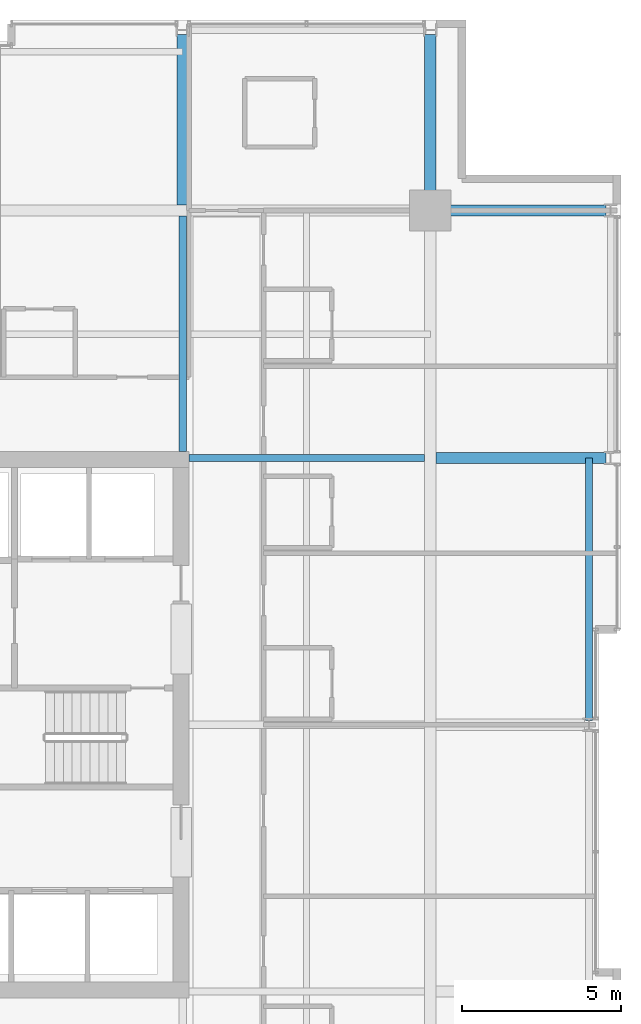
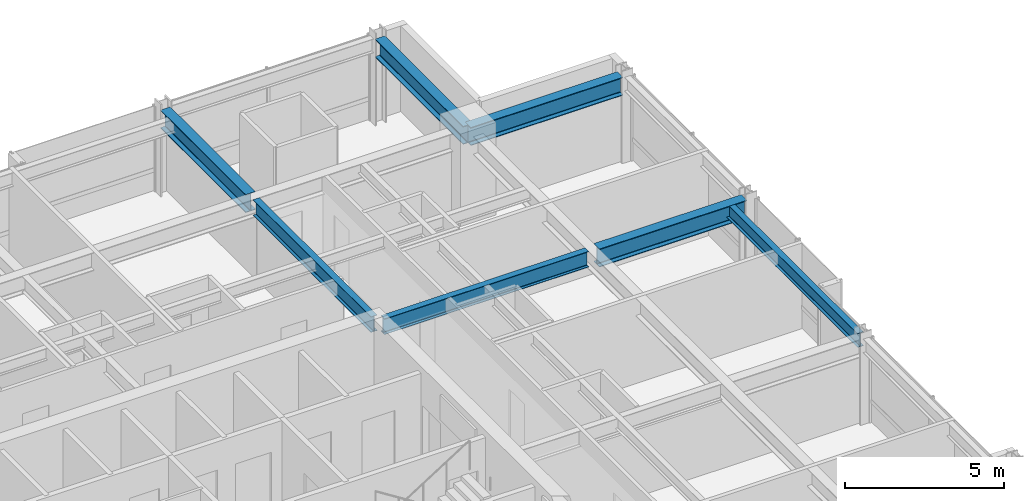
# One storey, part 22 of 32: 7 beams.
"""IFC4 building model written with IfcOpenShell, lengths in metres."""

from ifc_helpers import new_model, si_unit, direction, frame, origin, origin_2d, place, context, subcontext, project, spatial, i_section, extrude, material, material_profile, profile_set, type_object, element, save


model = new_model("IFC4")

# Units and contexts
model_context = context("Model", 3, precision=1e-05, world=origin(), true_north=direction((0.0, 1.0)))
body_context = subcontext(model_context, "Body", "Model", "MODEL_VIEW")
ifc_project = project(units=[si_unit("LENGTHUNIT", "METRE"), si_unit("AREAUNIT", "SQUARE_METRE"), si_unit("VOLUMEUNIT", "CUBIC_METRE"), si_unit("PLANEANGLEUNIT", "RADIAN"), si_unit("MASSUNIT", "GRAM", prefix="KILO")], contexts=[model_context])

# Site, building, storey
site_placement = place(None, origin())
site = spatial("IfcSite", under=ifc_project, at=site_placement, CompositionType="ELEMENT")
building_placement = place(site_placement, origin())
building = spatial("IfcBuilding", under=site, at=building_placement, Name="Drelvath Grand Hotel", CompositionType="ELEMENT")
storey_placement = place(building_placement, frame((0.0, 0.0, 157.5)))
storey = spatial("IfcBuildingStorey", under=building, at=storey_placement, Name="L40", CompositionType="ELEMENT", Elevation=157.5)

# Beams
ifc_material = material(Name="Steel ASTM A992 Gr 50", Category="steel")
ifc_material_profile_1 = material_profile(ifc_material, i_section(OverallWidth=0.210205078125, OverallDepth=0.53662109375, WebThickness=0.010986328125, FlangeThickness=0.017333984375, FilletRadius=0.01806640625, at=origin_2d()), Name="W21X68")
ifc_profile_set_1 = profile_set([ifc_material_profile_1], Name="Steel ASTM A992 Gr 50")
beam_type_1 = type_object("IfcBeamType", Name="Perimeter Spandrel Beam W21X68", PredefinedType="SPANDREL", material=ifc_profile_set_1)
beam_1_placement = place(storey_placement, frame((21.199951171875, 27.139892578125, 3.021484375), z_axis=(0.0, 1.0, 0.0), x_axis=(-1.0, 0.0, 0.0)))
element("IfcBeam", 1, at=beam_1_placement, inside=storey, type_object=beam_type_1, Name="L40 Spandrel East Mid N", PredefinedType="SPANDREL", context=body_context, shape_type="SweptSolid", body=[
    extrude(i_section(OverallWidth=0.210205078125, OverallDepth=0.53662109375, WebThickness=0.010986328125, FlangeThickness=0.017333984375, FilletRadius=0.01806640625, at=origin_2d()), origin(), (0.0, 0.0, 1.0), 8.260009765625),
])
ifc_material_profile_2 = material_profile(ifc_material, i_section(OverallWidth=0.228271484375, OverallDepth=0.607666015625, WebThickness=0.01123046875, FlangeThickness=0.017333984375, FilletRadius=0.02001953125, at=origin_2d()), Name="W24X76")
ifc_profile_set_2 = profile_set([ifc_material_profile_2], Name="Steel ASTM A992 Gr 50")
beam_type_2 = type_object("IfcBeamType", Name="Primary Floor Girder W24X76", PredefinedType="BEAM", material=ifc_profile_set_2)
for number, where, z_axis, x_axis, name in (
    (2, (8.60009765625, 35.39990234375, 2.986083984375), (1.0, 0.0, 0.0), (0.0, 1.0, 0.0), "L40 East Core Tie F"),
    (3, (8.39990234375, 35.60009765625, 2.986083984375), (0.0, 1.0, 0.0), (-1.0, 0.0, 0.0), "L40 North Core Tie 6"),
):
    element("IfcBeam", number, at=place(storey_placement, frame(where, z_axis=z_axis, x_axis=x_axis)), inside=storey, type_object=beam_type_2, Name=name, PredefinedType="BEAM", context=body_context, shape_type="SweptSolid", body=[
        extrude(i_section(OverallWidth=0.228271484375, OverallDepth=0.607666015625, WebThickness=0.01123046875, FlangeThickness=0.017333984375, FilletRadius=0.02001953125, at=origin_2d()), origin(), (0.0, 0.0, 1.0), 7.422607421875),
    ])
ifc_material_profile_3 = material_profile(ifc_material, i_section(OverallWidth=0.354736328125, OverallDepth=0.695556640625, WebThickness=0.015380859375, FlangeThickness=0.025146484375, FilletRadius=0.02392578125, at=origin_2d()), Name="W27X146")
ifc_profile_set_3 = profile_set([ifc_material_profile_3], Name="Steel ASTM A992 Gr 50")
beam_type_3 = type_object("IfcBeamType", Name="Primary Floor Girder W27X146", PredefinedType="BEAM", material=ifc_profile_set_3)
beam_2_placement = place(storey_placement, frame((16.199951171875, 43.199951171875, 2.9423828125), z_axis=(1.0, 0.0, 0.0), x_axis=(0.0, 1.0, 0.0)))
element("IfcBeam", 4, at=beam_2_placement, inside=storey, type_object=beam_type_3, Name="L40 East Grid Girder G", PredefinedType="BEAM", context=body_context, shape_type="SweptSolid", body=[
    extrude(i_section(OverallWidth=0.354736328125, OverallDepth=0.695556640625, WebThickness=0.015380859375, FlangeThickness=0.025146484375, FilletRadius=0.02392578125, at=origin_2d()), origin(), (0.0, 0.0, 1.0), 5.5400390625),
])
beam_3_placement = place(storey_placement, frame((16.37744140625, 35.39990234375, 2.9423828125), z_axis=(1.0, 0.0, 0.0), x_axis=(0.0, 1.0, 0.0)))
element("IfcBeam", 5, at=beam_3_placement, inside=storey, type_object=beam_type_3, Name="L40 East Wing Girder F", PredefinedType="BEAM", context=body_context, shape_type="SweptSolid", body=[
    extrude(i_section(OverallWidth=0.354736328125, OverallDepth=0.695556640625, WebThickness=0.015380859375, FlangeThickness=0.025146484375, FilletRadius=0.02392578125, at=origin_2d()), origin(), (0.0, 0.0, 1.0), 5.362548828125),
])
beam_4_placement = place(storey_placement, frame((16.199951171875, 43.199951171875, 2.9423828125), z_axis=(0.0, 1.0, 0.0), x_axis=(-1.0, 0.0, 0.0)))
element("IfcBeam", 6, at=beam_4_placement, inside=storey, type_object=beam_type_3, Name="L40 North Grid Girder 7", PredefinedType="BEAM", context=body_context, shape_type="SweptSolid", body=[
    extrude(i_section(OverallWidth=0.354736328125, OverallDepth=0.695556640625, WebThickness=0.015380859375, FlangeThickness=0.025146484375, FilletRadius=0.02392578125, at=origin_2d()), origin(), (0.0, 0.0, 1.0), 5.5400390625),
])
beam_5_placement = place(storey_placement, frame((8.39990234375, 43.37744140625, 2.9423828125), z_axis=(0.0, 1.0, 0.0), x_axis=(-1.0, 0.0, 0.0)))
element("IfcBeam", 7, at=beam_5_placement, inside=storey, type_object=beam_type_3, Name="L40 North Wing Girder 6", PredefinedType="BEAM", context=body_context, shape_type="SweptSolid", body=[
    extrude(i_section(OverallWidth=0.354736328125, OverallDepth=0.695556640625, WebThickness=0.015380859375, FlangeThickness=0.025146484375, FilletRadius=0.02392578125, at=origin_2d()), origin(), (0.0, 0.0, 1.0), 5.362548828125),
])

save(model, "model.ifc")
